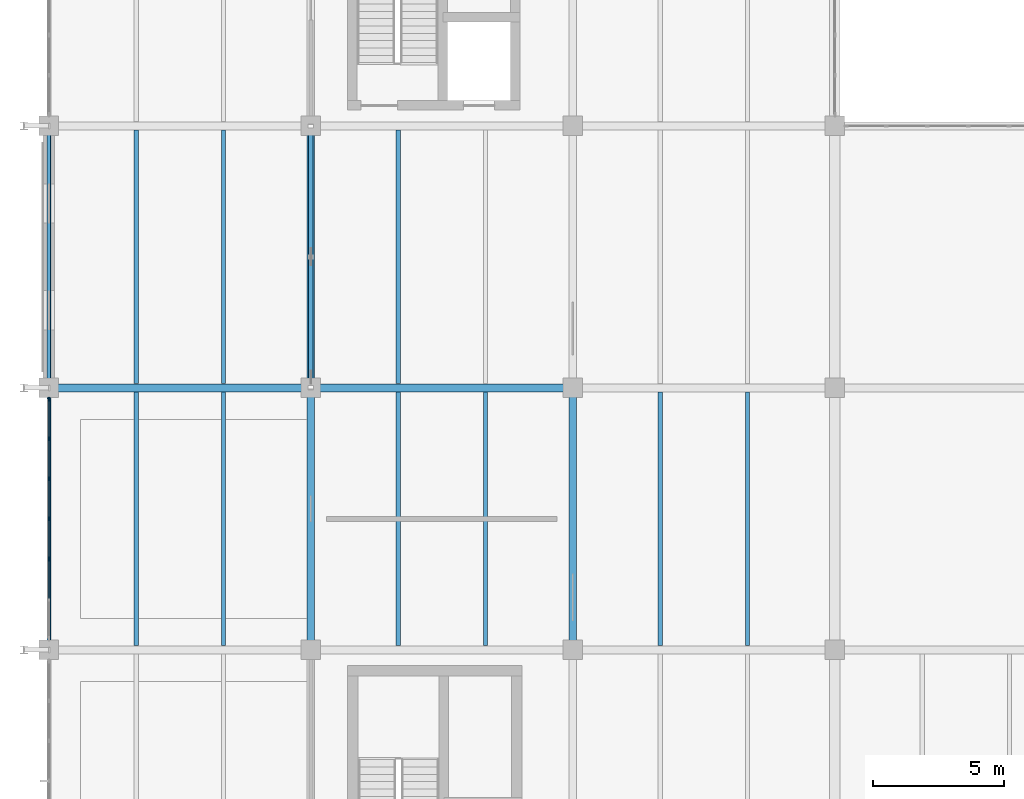
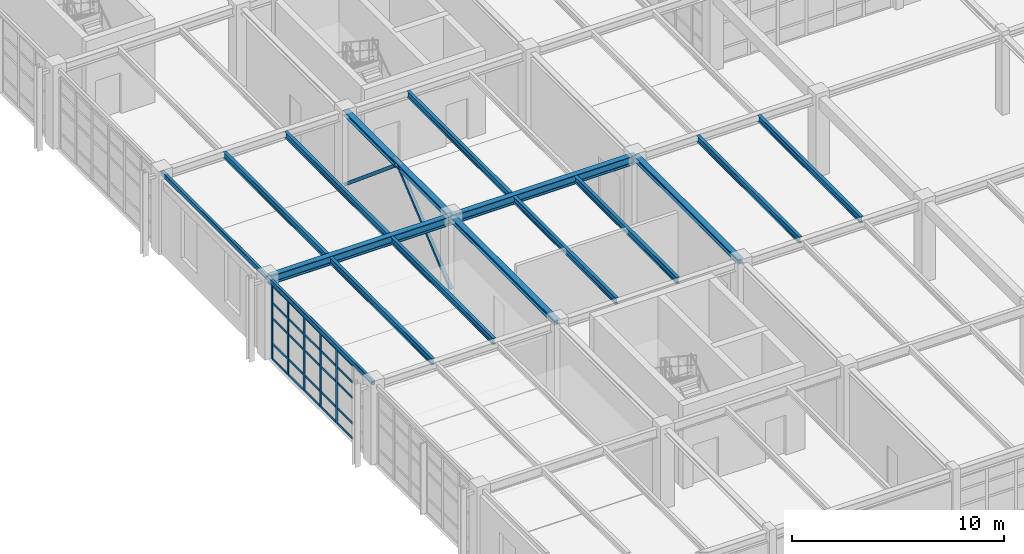
# One storey, part 31 of 139: 32 members, 16 beams, 1 element without a shape of its own.
"""IFC4 building model written with IfcOpenShell, lengths in metres."""

from ifc_helpers import new_model, si_unit, direction, frame, origin, origin_2d, place, context, subcontext, project, spatial, rectangle, hollow_rectangle, i_section, extrude, material, layer, layer_set, material_profile, profile_set, type_object, element, aggregate, save


model = new_model("IFC4")

# Units and contexts
model_context = context("Model", 3, precision=1e-05, world=origin(), true_north=direction((0.0, 1.0)))
body_context = subcontext(model_context, "Body", "Model", "MODEL_VIEW")
ifc_project = project(units=[si_unit("LENGTHUNIT", "METRE"), si_unit("AREAUNIT", "SQUARE_METRE"), si_unit("VOLUMEUNIT", "CUBIC_METRE"), si_unit("PLANEANGLEUNIT", "RADIAN"), si_unit("MASSUNIT", "GRAM", prefix="KILO"), si_unit("THERMODYNAMICTEMPERATUREUNIT", "KELVIN"), si_unit("POWERUNIT", "WATT")], contexts=[model_context])

# Site, building, storey
site_placement = place(None, origin())
site = spatial("IfcSite", under=ifc_project, at=site_placement, CompositionType="ELEMENT")
building_placement = place(site_placement, origin())
building = spatial("IfcBuilding", under=site, at=building_placement, Name="Korenveer Ferry Terminal", CompositionType="ELEMENT")
storey_placement = place(building_placement, frame((0.0, 0.0, 5.39990234375)))
storey = spatial("IfcBuildingStorey", under=building, at=storey_placement, Name="L01", CompositionType="ELEMENT", Elevation=5.39990234375)

# Curtain wall, members
ifc_material_1 = material(Name="Unitised bronze-and-glass curtain wall", Category="glass")
ifc_layer = layer(ifc_material_1, 0.159912109375)
ifc_layer_set = layer_set([ifc_layer], Name="Unitised bronze-and-glass curtain wall")
curtain_wall_type = type_object("IfcCurtainWallType", Name="ENV-CW-59", PredefinedType="USERDEFINED", material=ifc_layer_set)
curtain_wall_placement = place(storey_placement, frame((0.0, 30.405029296875, 0.0)))
curtain_wall = element("IfcCurtainWall", 1, at=curtain_wall_placement, inside=storey, type_object=curtain_wall_type, Name="Lancet curtain wall CWX-L01-X0-0-Y30-40", ObjectType="UNITISED CURTAIN WALL", PredefinedType="USERDEFINED")
ifc_material_2 = material(Name="Anodised bronze aluminium", Category="aluminium")
ifc_material_profile_1 = material_profile(ifc_material_2, rectangle(XDim=0.06005859375, YDim=0.159912109375, at=origin_2d()), Name="ALU 60x160")
ifc_profile_set_1 = profile_set([ifc_material_profile_1], Name="Anodised bronze aluminium")
member_type_1 = type_object("IfcMemberType", Name="ENV-CWM-60X160", PredefinedType="MULLION", material=ifc_profile_set_1)
member_1_placement = place(storey_placement, frame((0.0, 33.46826171875, 0.0), z_axis=(0.0, 0.0, 1.0), x_axis=(-1.0, 0.0, 0.0)))
member_1 = element("IfcMember", 2, at=member_1_placement, type_object=member_type_1, Name="CW-59 mullion 3", PredefinedType="MULLION", context=body_context, shape_type="SweptSolid", body=[
    extrude(rectangle(XDim=0.06005859375, YDim=0.159912109375, at=origin_2d()), origin(), (0.0, 0.0, 1.0), 4.27001953125),
])
member_2_placement = place(storey_placement, frame((0.0, 35.0, 0.0), z_axis=(0.0, 0.0, 1.0), x_axis=(-1.0, 0.0, 0.0)))
member_2 = element("IfcMember", 3, at=member_2_placement, type_object=member_type_1, Name="CW-59 mullion 4", PredefinedType="MULLION", context=body_context, shape_type="SweptSolid", body=[
    extrude(rectangle(XDim=0.06005859375, YDim=0.159912109375, at=origin_2d()), origin(), (0.0, 0.0, 1.0), 4.27001953125),
])
member_3_placement = place(storey_placement, frame((0.0, 36.53173828125, 0.0), z_axis=(0.0, 0.0, 1.0), x_axis=(-1.0, 0.0, 0.0)))
member_3 = element("IfcMember", 4, at=member_3_placement, type_object=member_type_1, Name="CW-59 mullion 5", PredefinedType="MULLION", context=body_context, shape_type="SweptSolid", body=[
    extrude(rectangle(XDim=0.06005859375, YDim=0.159912109375, at=origin_2d()), origin(), (0.0, 0.0, 1.0), 4.27001953125),
])
member_4_placement = place(storey_placement, frame((0.0, 38.063232421875, 0.0), z_axis=(0.0, 0.0, 1.0), x_axis=(-1.0, 0.0, 0.0)))
member_4 = element("IfcMember", 5, at=member_4_placement, type_object=member_type_1, Name="CW-59 mullion 6", PredefinedType="MULLION", context=body_context, shape_type="SweptSolid", body=[
    extrude(rectangle(XDim=0.06005859375, YDim=0.159912109375, at=origin_2d()), origin(), (0.0, 0.0, 1.0), 4.27001953125),
])
member_5_placement = place(storey_placement, frame((0.0, 39.56494140625, 0.0), z_axis=(0.0, 0.0, 1.0), x_axis=(-1.0, 0.0, 0.0)))
member_5 = element("IfcMember", 6, at=member_5_placement, type_object=member_type_1, Name="CW-59 mullion 7", PredefinedType="MULLION", context=body_context, shape_type="SweptSolid", body=[
    extrude(rectangle(XDim=0.06005859375, YDim=0.159912109375, at=origin_2d()), origin(), (0.0, 0.0, 1.0), 4.27001953125),
])
ifc_material_profile_2 = material_profile(ifc_material_2, rectangle(XDim=0.06005859375, YDim=0.1201171875, at=origin_2d()), Name="ALU 60x120")
ifc_profile_set_2 = profile_set([ifc_material_profile_2], Name="Anodised bronze aluminium")
member_type_2 = type_object("IfcMemberType", Name="ENV-CWT-60X120", PredefinedType="USERDEFINED", material=ifc_profile_set_2)
member_6_placement = place(storey_placement, frame((0.0, 31.966552734375, 0.030029296875), z_axis=(0.0, 1.0, 0.0), x_axis=(-1.0, 0.0, 0.0)))
member_6 = element("IfcMember", 7, at=member_6_placement, type_object=member_type_2, Name="CW-59 transom 2.1", ObjectType="TRANSOM", PredefinedType="USERDEFINED", context=body_context, shape_type="SweptSolid", body=[
    extrude(rectangle(XDim=0.06005859375, YDim=0.1201171875, at=origin_2d()), origin(), (0.0, 0.0, 1.0), 1.4716796875),
])
member_7_placement = place(storey_placement, frame((0.0, 31.966552734375, 0.900146484375), z_axis=(0.0, 1.0, 0.0), x_axis=(-1.0, 0.0, 0.0)))
member_7 = element("IfcMember", 8, at=member_7_placement, type_object=member_type_2, Name="CW-59 transom 2.2", ObjectType="TRANSOM", PredefinedType="USERDEFINED", context=body_context, shape_type="SweptSolid", body=[
    extrude(rectangle(XDim=0.06005859375, YDim=0.1201171875, at=origin_2d()), origin(), (0.0, 0.0, 1.0), 1.4716796875),
])
member_8_placement = place(storey_placement, frame((0.0, 31.966552734375, 2.35009765625), z_axis=(0.0, 1.0, 0.0), x_axis=(-1.0, 0.0, 0.0)))
member_8 = element("IfcMember", 9, at=member_8_placement, type_object=member_type_2, Name="CW-59 transom 2.3", ObjectType="TRANSOM", PredefinedType="USERDEFINED", context=body_context, shape_type="SweptSolid", body=[
    extrude(rectangle(XDim=0.06005859375, YDim=0.1201171875, at=origin_2d()), origin(), (0.0, 0.0, 1.0), 1.4716796875),
])
member_9_placement = place(storey_placement, frame((0.0, 31.966552734375, 3.25), z_axis=(0.0, 1.0, 0.0), x_axis=(-1.0, 0.0, 0.0)))
member_9 = element("IfcMember", 10, at=member_9_placement, type_object=member_type_2, Name="CW-59 transom 2.4", ObjectType="TRANSOM", PredefinedType="USERDEFINED", context=body_context, shape_type="SweptSolid", body=[
    extrude(rectangle(XDim=0.06005859375, YDim=0.1201171875, at=origin_2d()), origin(), (0.0, 0.0, 1.0), 1.4716796875),
])
member_10_placement = place(storey_placement, frame((0.0, 31.966552734375, 4.239990234375), z_axis=(0.0, 1.0, 0.0), x_axis=(-1.0, 0.0, 0.0)))
member_10 = element("IfcMember", 11, at=member_10_placement, type_object=member_type_2, Name="CW-59 transom 2.5", ObjectType="TRANSOM", PredefinedType="USERDEFINED", context=body_context, shape_type="SweptSolid", body=[
    extrude(rectangle(XDim=0.06005859375, YDim=0.1201171875, at=origin_2d()), origin(), (0.0, 0.0, 1.0), 1.4716796875),
])
member_11_placement = place(storey_placement, frame((0.0, 33.498291015625, 0.030029296875), z_axis=(0.0, 1.0, 0.0), x_axis=(-1.0, 0.0, 0.0)))
member_11 = element("IfcMember", 12, at=member_11_placement, type_object=member_type_2, Name="CW-59 transom 3.1", ObjectType="TRANSOM", PredefinedType="USERDEFINED", context=body_context, shape_type="SweptSolid", body=[
    extrude(rectangle(XDim=0.06005859375, YDim=0.1201171875, at=origin_2d()), origin(), (0.0, 0.0, 1.0), 1.4716796875),
])
member_12_placement = place(storey_placement, frame((0.0, 33.498291015625, 0.900146484375), z_axis=(0.0, 1.0, 0.0), x_axis=(-1.0, 0.0, 0.0)))
member_12 = element("IfcMember", 13, at=member_12_placement, type_object=member_type_2, Name="CW-59 transom 3.2", ObjectType="TRANSOM", PredefinedType="USERDEFINED", context=body_context, shape_type="SweptSolid", body=[
    extrude(rectangle(XDim=0.06005859375, YDim=0.1201171875, at=origin_2d()), origin(), (0.0, 0.0, 1.0), 1.4716796875),
])
member_13_placement = place(storey_placement, frame((0.0, 33.498291015625, 2.35009765625), z_axis=(0.0, 1.0, 0.0), x_axis=(-1.0, 0.0, 0.0)))
member_13 = element("IfcMember", 14, at=member_13_placement, type_object=member_type_2, Name="CW-59 transom 3.3", ObjectType="TRANSOM", PredefinedType="USERDEFINED", context=body_context, shape_type="SweptSolid", body=[
    extrude(rectangle(XDim=0.06005859375, YDim=0.1201171875, at=origin_2d()), origin(), (0.0, 0.0, 1.0), 1.4716796875),
])
member_14_placement = place(storey_placement, frame((0.0, 33.498291015625, 3.25), z_axis=(0.0, 1.0, 0.0), x_axis=(-1.0, 0.0, 0.0)))
member_14 = element("IfcMember", 15, at=member_14_placement, type_object=member_type_2, Name="CW-59 transom 3.4", ObjectType="TRANSOM", PredefinedType="USERDEFINED", context=body_context, shape_type="SweptSolid", body=[
    extrude(rectangle(XDim=0.06005859375, YDim=0.1201171875, at=origin_2d()), origin(), (0.0, 0.0, 1.0), 1.4716796875),
])
member_15_placement = place(storey_placement, frame((0.0, 33.498291015625, 4.239990234375), z_axis=(0.0, 1.0, 0.0), x_axis=(-1.0, 0.0, 0.0)))
member_15 = element("IfcMember", 16, at=member_15_placement, type_object=member_type_2, Name="CW-59 transom 3.5", ObjectType="TRANSOM", PredefinedType="USERDEFINED", context=body_context, shape_type="SweptSolid", body=[
    extrude(rectangle(XDim=0.06005859375, YDim=0.1201171875, at=origin_2d()), origin(), (0.0, 0.0, 1.0), 1.4716796875),
])
member_16_placement = place(storey_placement, frame((0.0, 35.030029296875, 0.030029296875), z_axis=(0.0, 1.0, 0.0), x_axis=(-1.0, 0.0, 0.0)))
member_16 = element("IfcMember", 17, at=member_16_placement, type_object=member_type_2, Name="CW-59 transom 4.1", ObjectType="TRANSOM", PredefinedType="USERDEFINED", context=body_context, shape_type="SweptSolid", body=[
    extrude(rectangle(XDim=0.06005859375, YDim=0.1201171875, at=origin_2d()), origin(), (0.0, 0.0, 1.0), 1.4716796875),
])
member_17_placement = place(storey_placement, frame((0.0, 35.030029296875, 0.900146484375), z_axis=(0.0, 1.0, 0.0), x_axis=(-1.0, 0.0, 0.0)))
member_17 = element("IfcMember", 18, at=member_17_placement, type_object=member_type_2, Name="CW-59 transom 4.2", ObjectType="TRANSOM", PredefinedType="USERDEFINED", context=body_context, shape_type="SweptSolid", body=[
    extrude(rectangle(XDim=0.06005859375, YDim=0.1201171875, at=origin_2d()), origin(), (0.0, 0.0, 1.0), 1.4716796875),
])
member_18_placement = place(storey_placement, frame((0.0, 35.030029296875, 2.35009765625), z_axis=(0.0, 1.0, 0.0), x_axis=(-1.0, 0.0, 0.0)))
member_18 = element("IfcMember", 19, at=member_18_placement, type_object=member_type_2, Name="CW-59 transom 4.3", ObjectType="TRANSOM", PredefinedType="USERDEFINED", context=body_context, shape_type="SweptSolid", body=[
    extrude(rectangle(XDim=0.06005859375, YDim=0.1201171875, at=origin_2d()), origin(), (0.0, 0.0, 1.0), 1.4716796875),
])
member_19_placement = place(storey_placement, frame((0.0, 35.030029296875, 3.25), z_axis=(0.0, 1.0, 0.0), x_axis=(-1.0, 0.0, 0.0)))
member_19 = element("IfcMember", 20, at=member_19_placement, type_object=member_type_2, Name="CW-59 transom 4.4", ObjectType="TRANSOM", PredefinedType="USERDEFINED", context=body_context, shape_type="SweptSolid", body=[
    extrude(rectangle(XDim=0.06005859375, YDim=0.1201171875, at=origin_2d()), origin(), (0.0, 0.0, 1.0), 1.4716796875),
])
member_20_placement = place(storey_placement, frame((0.0, 35.030029296875, 4.239990234375), z_axis=(0.0, 1.0, 0.0), x_axis=(-1.0, 0.0, 0.0)))
member_20 = element("IfcMember", 21, at=member_20_placement, type_object=member_type_2, Name="CW-59 transom 4.5", ObjectType="TRANSOM", PredefinedType="USERDEFINED", context=body_context, shape_type="SweptSolid", body=[
    extrude(rectangle(XDim=0.06005859375, YDim=0.1201171875, at=origin_2d()), origin(), (0.0, 0.0, 1.0), 1.4716796875),
])
member_21_placement = place(storey_placement, frame((0.0, 36.561767578125, 0.030029296875), z_axis=(0.0, 1.0, 0.0), x_axis=(-1.0, 0.0, 0.0)))
member_21 = element("IfcMember", 22, at=member_21_placement, type_object=member_type_2, Name="CW-59 transom 5.1", ObjectType="TRANSOM", PredefinedType="USERDEFINED", context=body_context, shape_type="SweptSolid", body=[
    extrude(rectangle(XDim=0.06005859375, YDim=0.1201171875, at=origin_2d()), origin(), (0.0, 0.0, 1.0), 1.4716796875),
])
member_22_placement = place(storey_placement, frame((0.0, 36.561767578125, 0.900146484375), z_axis=(0.0, 1.0, 0.0), x_axis=(-1.0, 0.0, 0.0)))
member_22 = element("IfcMember", 23, at=member_22_placement, type_object=member_type_2, Name="CW-59 transom 5.2", ObjectType="TRANSOM", PredefinedType="USERDEFINED", context=body_context, shape_type="SweptSolid", body=[
    extrude(rectangle(XDim=0.06005859375, YDim=0.1201171875, at=origin_2d()), origin(), (0.0, 0.0, 1.0), 1.4716796875),
])
member_23_placement = place(storey_placement, frame((0.0, 36.561767578125, 2.35009765625), z_axis=(0.0, 1.0, 0.0), x_axis=(-1.0, 0.0, 0.0)))
member_23 = element("IfcMember", 24, at=member_23_placement, type_object=member_type_2, Name="CW-59 transom 5.3", ObjectType="TRANSOM", PredefinedType="USERDEFINED", context=body_context, shape_type="SweptSolid", body=[
    extrude(rectangle(XDim=0.06005859375, YDim=0.1201171875, at=origin_2d()), origin(), (0.0, 0.0, 1.0), 1.4716796875),
])
member_24_placement = place(storey_placement, frame((0.0, 36.561767578125, 3.25), z_axis=(0.0, 1.0, 0.0), x_axis=(-1.0, 0.0, 0.0)))
member_24 = element("IfcMember", 25, at=member_24_placement, type_object=member_type_2, Name="CW-59 transom 5.4", ObjectType="TRANSOM", PredefinedType="USERDEFINED", context=body_context, shape_type="SweptSolid", body=[
    extrude(rectangle(XDim=0.06005859375, YDim=0.1201171875, at=origin_2d()), origin(), (0.0, 0.0, 1.0), 1.4716796875),
])
member_25_placement = place(storey_placement, frame((0.0, 36.561767578125, 4.239990234375), z_axis=(0.0, 1.0, 0.0), x_axis=(-1.0, 0.0, 0.0)))
member_25 = element("IfcMember", 26, at=member_25_placement, type_object=member_type_2, Name="CW-59 transom 5.5", ObjectType="TRANSOM", PredefinedType="USERDEFINED", context=body_context, shape_type="SweptSolid", body=[
    extrude(rectangle(XDim=0.06005859375, YDim=0.1201171875, at=origin_2d()), origin(), (0.0, 0.0, 1.0), 1.4716796875),
])
member_26_placement = place(storey_placement, frame((0.0, 38.09326171875, 0.030029296875), z_axis=(0.0, 1.0, 0.0), x_axis=(-1.0, 0.0, 0.0)))
member_26 = element("IfcMember", 27, at=member_26_placement, type_object=member_type_2, Name="CW-59 transom 6.1", ObjectType="TRANSOM", PredefinedType="USERDEFINED", context=body_context, shape_type="SweptSolid", body=[
    extrude(rectangle(XDim=0.06005859375, YDim=0.1201171875, at=origin_2d()), origin(), (0.0, 0.0, 1.0), 1.441650390625),
])
member_27_placement = place(storey_placement, frame((0.0, 38.09326171875, 0.900146484375), z_axis=(0.0, 1.0, 0.0), x_axis=(-1.0, 0.0, 0.0)))
member_27 = element("IfcMember", 28, at=member_27_placement, type_object=member_type_2, Name="CW-59 transom 6.2", ObjectType="TRANSOM", PredefinedType="USERDEFINED", context=body_context, shape_type="SweptSolid", body=[
    extrude(rectangle(XDim=0.06005859375, YDim=0.1201171875, at=origin_2d()), origin(), (0.0, 0.0, 1.0), 1.441650390625),
])
member_28_placement = place(storey_placement, frame((0.0, 38.09326171875, 2.35009765625), z_axis=(0.0, 1.0, 0.0), x_axis=(-1.0, 0.0, 0.0)))
member_28 = element("IfcMember", 29, at=member_28_placement, type_object=member_type_2, Name="CW-59 transom 6.3", ObjectType="TRANSOM", PredefinedType="USERDEFINED", context=body_context, shape_type="SweptSolid", body=[
    extrude(rectangle(XDim=0.06005859375, YDim=0.1201171875, at=origin_2d()), origin(), (0.0, 0.0, 1.0), 1.441650390625),
])
member_29_placement = place(storey_placement, frame((0.0, 38.09326171875, 3.25), z_axis=(0.0, 1.0, 0.0), x_axis=(-1.0, 0.0, 0.0)))
member_29 = element("IfcMember", 30, at=member_29_placement, type_object=member_type_2, Name="CW-59 transom 6.4", ObjectType="TRANSOM", PredefinedType="USERDEFINED", context=body_context, shape_type="SweptSolid", body=[
    extrude(rectangle(XDim=0.06005859375, YDim=0.1201171875, at=origin_2d()), origin(), (0.0, 0.0, 1.0), 1.441650390625),
])
member_30_placement = place(storey_placement, frame((0.0, 38.09326171875, 4.239990234375), z_axis=(0.0, 1.0, 0.0), x_axis=(-1.0, 0.0, 0.0)))
member_30 = element("IfcMember", 31, at=member_30_placement, type_object=member_type_2, Name="CW-59 transom 6.5", ObjectType="TRANSOM", PredefinedType="USERDEFINED", context=body_context, shape_type="SweptSolid", body=[
    extrude(rectangle(XDim=0.06005859375, YDim=0.1201171875, at=origin_2d()), origin(), (0.0, 0.0, 1.0), 1.441650390625),
])
aggregate(curtain_wall, [member_1, member_2, member_3, member_4, member_5, member_6, member_7, member_8, member_9, member_10, member_11, member_12, member_13, member_14, member_15, member_16, member_17, member_18, member_19, member_20, member_21, member_22, member_23, member_24, member_25, member_26, member_27, member_28, member_29, member_30])

# Beams
ifc_material_3 = material(Name="Steel S355", Category="steel")
ifc_material_profile_3 = material_profile(ifc_material_3, i_section(OverallWidth=0.300048828125, OverallDepth=0.2900390625, WebThickness=0.008544921875, FlangeThickness=0.013916015625, FilletRadius=0.027099609375, at=origin_2d()), Name="HEA 300")
ifc_profile_set_3 = profile_set([ifc_material_profile_3], Name="Steel S355")
beam_type_1 = type_object("IfcBeamType", Name="STR-BM-HEA300", PredefinedType="BEAM", material=ifc_profile_set_3)
for number, where, z_axis, x_axis, name in (
    (32, (10.0, 30.02001953125, 4.405029296875), (0.0, 1.0, 0.0), (-1.0, 0.0, 0.0), "Primary Y girder BMY-L02-X10-Y30-40"),
    (33, (10.0, 40.02001953125, 4.405029296875), (0.0, 1.0, 0.0), (-1.0, 0.0, 0.0), "Primary Y girder BMY-L02-X10-Y40-50"),
    (34, (20.0, 30.02001953125, 4.405029296875), (0.0, 1.0, 0.0), (-1.0, 0.0, 0.0), "Primary Y girder BMY-L02-X20-Y30-40"),
):
    element("IfcBeam", number, at=place(storey_placement, frame(where, z_axis=z_axis, x_axis=x_axis)), inside=storey, type_object=beam_type_1, Name=name, PredefinedType="BEAM", context=body_context, shape_type="SweptSolid", body=[
        extrude(i_section(OverallWidth=0.300048828125, OverallDepth=0.2900390625, WebThickness=0.008544921875, FlangeThickness=0.013916015625, FilletRadius=0.027099609375, at=origin_2d()), origin(), (0.0, 0.0, 1.0), 9.9599609375),
    ])
ifc_material_profile_4 = material_profile(ifc_material_3, i_section(OverallWidth=0.300048828125, OverallDepth=0.5, WebThickness=0.014404296875, FlangeThickness=0.028076171875, FilletRadius=0.027099609375, at=origin_2d()), Name="HEB 500")
ifc_profile_set_4 = profile_set([ifc_material_profile_4], Name="Steel S355")
beam_type_2 = type_object("IfcBeamType", Name="STR-BM-HEB500", PredefinedType="BEAM", material=ifc_profile_set_4)
for number, where, z_axis, x_axis, name in (
    (35, (0.02001953125, 40.0, 4.300048828125), (1.0, 0.0, 0.0), (0.0, 1.0, 0.0), "Primary X girder BMX-L02-X0-10-Y40"),
    (36, (10.02001953125, 40.0, 4.300048828125), (1.0, 0.0, 0.0), (0.0, 1.0, 0.0), "Primary X girder BMX-L02-X10-20-Y40"),
):
    element("IfcBeam", number, at=place(storey_placement, frame(where, z_axis=z_axis, x_axis=x_axis)), inside=storey, type_object=beam_type_2, Name=name, PredefinedType="BEAM", context=body_context, shape_type="SweptSolid", body=[
        extrude(i_section(OverallWidth=0.300048828125, OverallDepth=0.5, WebThickness=0.014404296875, FlangeThickness=0.028076171875, FilletRadius=0.027099609375, at=origin_2d()), origin(), (0.0, 0.0, 1.0), 9.9599609375),
    ])

# Members
ifc_material_profile_5 = material_profile(ifc_material_3, hollow_rectangle(XDim=0.179931640625, YDim=0.179931640625, WallThickness=0.010009765625, InnerFilletRadius=0.010009765625, OuterFilletRadius=0.014892578125, at=origin_2d()), Name="SHS 180x180x10")
ifc_profile_set_5 = profile_set([ifc_material_profile_5], Name="Steel S355")
member_type_3 = type_object("IfcMemberType", Name="STR-BRC-SHS180", PredefinedType="BRACE", material=ifc_profile_set_5)
for number, where, z_axis, x_axis, name in (
    (37, (10.0, 40.02001953125, 0.239990234375), (0.0, 0.767449743523, 0.641109110189), (-1.0, 0.0, 0.0), "Lateral stability chevron brace BRCVF-L01-X10-400"),
    (38, (10.0, 45.0, 4.400146484375), (0.0, 0.767449743523, -0.641109110189), (-1.0, 0.0, 0.0), "Lateral stability chevron brace BRCVF-L01-X10-450"),
):
    element("IfcMember", number, at=place(storey_placement, frame(where, z_axis=z_axis, x_axis=x_axis)), inside=storey, type_object=member_type_3, Name=name, PredefinedType="BRACE", context=body_context, shape_type="SweptSolid", body=[
        extrude(hollow_rectangle(XDim=0.179931640625, YDim=0.179931640625, WallThickness=0.010009765625, InnerFilletRadius=0.010009765625, OuterFilletRadius=0.014892578125, at=origin_2d()), origin(), (0.0, 0.0, 1.0), 6.489013671875),
    ])

# Beams
ifc_material_profile_6 = material_profile(ifc_material_3, i_section(OverallWidth=0.169921875, OverallDepth=0.360107421875, WebThickness=0.008056640625, FlangeThickness=0.0126953125, FilletRadius=0.01806640625, at=origin_2d()), Name="IPE 360")
ifc_profile_set_6 = profile_set([ifc_material_profile_6], Name="Steel S355")
beam_type_3 = type_object("IfcBeamType", Name="STR-JST-IPE360", PredefinedType="JOIST", material=ifc_profile_set_6)
for number, where, z_axis, x_axis, name in (
    (39, (3.333251953125, 30.159912109375, 4.3701171875), (0.0, 1.0, 0.0), (-1.0, 0.0, 0.0), "Secondary composite joist JST-L02-X33-Y30-40"),
    (40, (6.666748046875, 30.159912109375, 4.3701171875), (0.0, 1.0, 0.0), (-1.0, 0.0, 0.0), "Secondary composite joist JST-L02-X67-Y30-40"),
    (41, (3.333251953125, 40.159912109375, 4.3701171875), (0.0, 1.0, 0.0), (-1.0, 0.0, 0.0), "Secondary composite joist JST-L02-X33-Y40-50"),
    (42, (6.666748046875, 40.159912109375, 4.3701171875), (0.0, 1.0, 0.0), (-1.0, 0.0, 0.0), "Secondary composite joist JST-L02-X67-Y40-50"),
    (43, (13.333251953125, 30.159912109375, 4.3701171875), (0.0, 1.0, 0.0), (-1.0, 0.0, 0.0), "Secondary composite joist JST-L02-X133-Y30-40"),
    (44, (16.666748046875, 30.159912109375, 4.3701171875), (0.0, 1.0, 0.0), (-1.0, 0.0, 0.0), "Secondary composite joist JST-L02-X167-Y30-40"),
    (45, (13.333251953125, 40.159912109375, 4.3701171875), (0.0, 1.0, 0.0), (-1.0, 0.0, 0.0), "Secondary composite joist JST-L02-X133-Y40-50"),
    (46, (23.333251953125, 30.159912109375, 4.3701171875), (0.0, 1.0, 0.0), (-1.0, 0.0, 0.0), "Secondary composite joist JST-L02-X233-Y30-40"),
    (47, (26.666748046875, 30.159912109375, 4.3701171875), (0.0, 1.0, 0.0), (-1.0, 0.0, 0.0), "Secondary composite joist JST-L02-X267-Y30-40"),
):
    element("IfcBeam", number, at=place(storey_placement, frame(where, z_axis=z_axis, x_axis=x_axis)), inside=storey, type_object=beam_type_3, Name=name, PredefinedType="JOIST", context=body_context, shape_type="SweptSolid", body=[
        extrude(i_section(OverallWidth=0.169921875, OverallDepth=0.360107421875, WebThickness=0.008056640625, FlangeThickness=0.0126953125, FilletRadius=0.01806640625, at=origin_2d()), origin(), (0.0, 0.0, 1.0), 9.68017578125),
    ])
ifc_material_profile_7 = material_profile(ifc_material_3, hollow_rectangle(XDim=0.14990234375, YDim=0.25, WallThickness=0.010009765625, InnerFilletRadius=0.010009765625, OuterFilletRadius=0.014892578125, at=origin_2d()), Name="RHS 250x150x10")
ifc_profile_set_7 = profile_set([ifc_material_profile_7], Name="Steel S355")
beam_type_4 = type_object("IfcBeamType", Name="STR-SPD-RHS250", PredefinedType="SPANDREL", material=ifc_profile_set_7)
for number, where, z_axis, x_axis, name in (
    (48, (0.0, 30.02001953125, 4.425048828125), (0.0, 1.0, 0.0), (-1.0, 0.0, 0.0), "Primary Y girder BMY-L02-X0-Y30-40"),
    (49, (0.0, 40.02001953125, 4.425048828125), (0.0, 1.0, 0.0), (-1.0, 0.0, 0.0), "Primary Y girder BMY-L02-X0-Y40-50"),
):
    element("IfcBeam", number, at=place(storey_placement, frame(where, z_axis=z_axis, x_axis=x_axis)), inside=storey, type_object=beam_type_4, Name=name, PredefinedType="SPANDREL", context=body_context, shape_type="SweptSolid", body=[
        extrude(hollow_rectangle(XDim=0.14990234375, YDim=0.25, WallThickness=0.010009765625, InnerFilletRadius=0.010009765625, OuterFilletRadius=0.014892578125, at=origin_2d()), origin(), (0.0, 0.0, 1.0), 9.9599609375),
    ])

save(model, "model.ifc")
